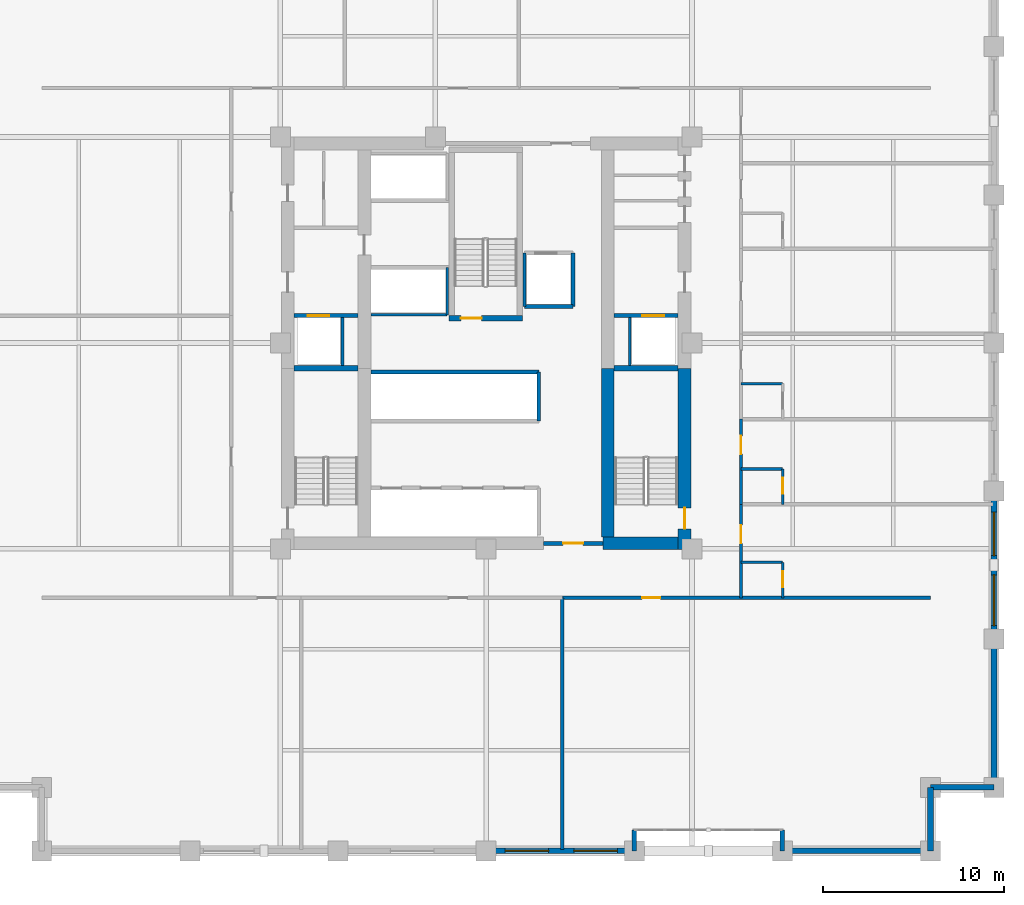
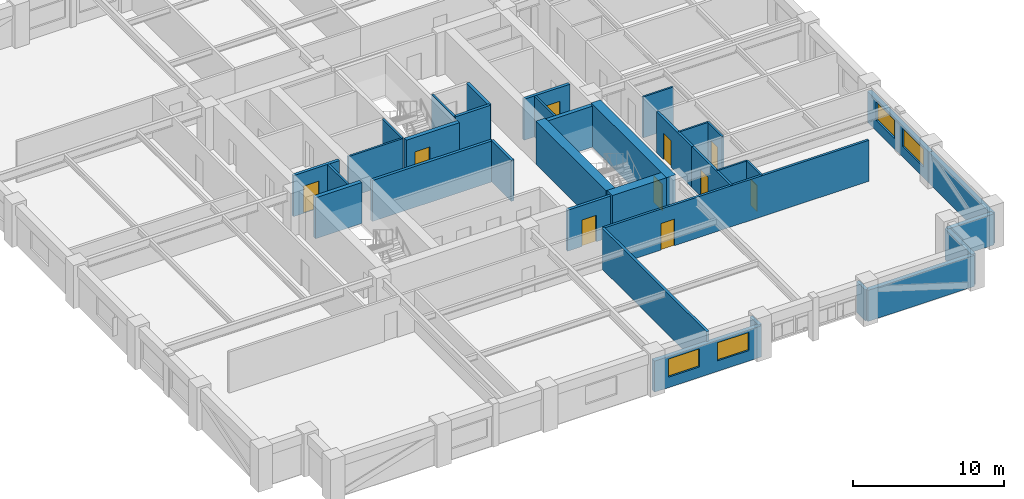
# One storey, part 6 of 11: 35 walls, 10 doors, 4 windows, 14 openings.
"""IFC4 building model written with IfcOpenShell, lengths in metres."""

import ifcopenshell
import ifcopenshell.guid

model = None  # the IFC model being written
_history = None  # IfcOwnerHistory: only IFC2X3 demands one
_inside = {}  # id of a spatial element -> (the spatial element, [elements in it])
_under = {}  # id of a project, library or spatial element -> (it, [spatial elements below it])
_declared = {}  # id of a project -> (the project, [libraries it declares])
_typed = {}  # id of a type object -> (the type object, [elements of that type])
_made_of = {}  # id of a material, layer set ... -> (it, [elements and type objects made of it])


def new_model(schema):
    """Start an empty IFC model of exactly this schema.

    Asked for "IFC4X3", IfcOpenShell would pick the latest addendum, in which some entities
    have other attributes; the version numbers below select the first issue.
    IFC2X3 requires an IfcOwnerHistory on every rooted entity: one is made here for all.
    """
    global model, _history
    if schema == "IFC4X3":
        model = ifcopenshell.file(schema_version=(4, 3, 0, 0))
    else:
        model = ifcopenshell.file(schema=schema)
    _inside.clear()
    _under.clear()
    _declared.clear()
    _typed.clear()
    _made_of.clear()
    _history = None
    if model.schema == "IFC2X3":
        org = make("IfcOrganization", Name="unknown")
        user = make(
            "IfcPersonAndOrganization",
            ThePerson=make("IfcPerson", FamilyName="unknown"),
            TheOrganization=org,
        )
        app = make(
            "IfcApplication",
            ApplicationDeveloper=org,
            Version="unknown",
            ApplicationFullName="unknown",
            ApplicationIdentifier="unknown",
        )
        _history = make(
            "IfcOwnerHistory",
            OwningUser=user,
            OwningApplication=app,
            ChangeAction="ADDED",
            CreationDate=0,
        )
    return model


def make(cls, **values):
    """One entity of the class cls with the attributes given. An attribute that is None is left unset."""
    return model.create_entity(
        cls, **{name: value for name, value in values.items() if value is not None}
    )


def rooted(cls, **values):
    """An entity with a GlobalId (a new one), such as an element, a storey or a relation."""
    return make(cls, GlobalId=ifcopenshell.guid.new(), OwnerHistory=_history, **values)


def si_unit(unit_type, name, prefix=None):
    """IfcSIUnit, for example si_unit("LENGTHUNIT", "METRE", prefix="MILLI")."""
    return make("IfcSIUnit", UnitType=unit_type, Prefix=prefix, Name=name)


def assignment(units):
    """IfcUnitAssignment: the units of a project."""
    return None if units is None else make("IfcUnitAssignment", Units=units)


def point(xyz):
    """IfcCartesianPoint."""
    return None if xyz is None else make("IfcCartesianPoint", Coordinates=xyz)


def direction(xyz):
    """IfcDirection."""
    return None if xyz is None else make("IfcDirection", DirectionRatios=xyz)


def frame(location, z_axis=None, x_axis=None):
    """IfcAxis2Placement3D, a coordinate frame: its origin and axes. An axis left out is left unset."""
    return make(
        "IfcAxis2Placement3D",
        Location=point(location),
        Axis=direction(z_axis),
        RefDirection=direction(x_axis),
    )


def frame_2d(location, x_axis=None):
    """IfcAxis2Placement2D, a coordinate frame in the plane: its origin and x axis."""
    return make(
        "IfcAxis2Placement2D", Location=point(location), RefDirection=direction(x_axis)
    )


def origin():
    """The frame at (0, 0, 0) with its axes left unset."""
    return frame((0.0, 0.0, 0.0))


def place(relative_to, where):
    """IfcLocalPlacement: puts the frame where relative to a parent placement (None: the world)."""
    return make(
        "IfcLocalPlacement", PlacementRelTo=relative_to, RelativePlacement=where
    )


def context(
    kind, dimensions, precision=None, world=None, true_north=None, identifier=None
):
    """IfcGeometricRepresentationContext, for example the 3D "Model" context."""
    return make(
        "IfcGeometricRepresentationContext",
        ContextIdentifier=identifier,
        ContextType=kind,
        CoordinateSpaceDimension=dimensions,
        Precision=precision,
        WorldCoordinateSystem=world,
        TrueNorth=true_north,
    )


def subcontext(parent, identifier, kind, view, scale=None):
    """IfcGeometricRepresentationSubContext, for example "Body" below "Model"."""
    return make(
        "IfcGeometricRepresentationSubContext",
        ContextIdentifier=identifier,
        ContextType=kind,
        ParentContext=parent,
        TargetScale=scale,
        TargetView=view,
    )


def project(units=None, contexts=None):
    """IfcProject with its units and contexts."""
    return rooted(
        "IfcProject",
        Name="project",
        RepresentationContexts=contexts,
        UnitsInContext=assignment(units),
    )


def spatial(cls, under=None, at=None, **own):
    """A site, building, storey or space (cls), placed at a placement, below another one or the project."""
    s = rooted(cls, ObjectPlacement=at, **own)
    if under is not None:
        _under.setdefault(under.id(), (under, []))[1].append(s)
    return s


def profile(cls, at=None, kind="AREA", **sizes):
    """A parametric profile (cls). Its sizes go by their IFC names, for example OverallWidth=200.0."""
    return make(cls, ProfileType=kind, Position=at, **sizes)


def rectangle(**sizes):
    """IfcRectangleProfileDef."""
    return profile("IfcRectangleProfileDef", **sizes)


def extrude(swept, where, along, depth):
    """IfcExtrudedAreaSolid: the profile swept, set in the frame where, extruded along a direction by depth."""
    return make(
        "IfcExtrudedAreaSolid",
        SweptArea=swept,
        Position=where,
        ExtrudedDirection=direction(along),
        Depth=depth,
    )


def shape(context_of_items, identifier, shape_type, items):
    """IfcShapeRepresentation: the items that make up one representation, for example the "Body"."""
    return make(
        "IfcShapeRepresentation",
        ContextOfItems=context_of_items,
        RepresentationIdentifier=identifier,
        RepresentationType=shape_type,
        Items=items,
    )


def material(Name=None, Category=None):
    """IfcMaterial."""
    return make("IfcMaterial", Name=Name, Category=Category)


def layer(
    of_material, thickness, ventilated=None, Name=None, Category=None, Priority=None
):
    """IfcMaterialLayer: one layer of a wall or slab, of a material (None: an air gap)."""
    return make(
        "IfcMaterialLayer",
        Material=of_material,
        LayerThickness=thickness,
        IsVentilated=ventilated,
        Name=Name,
        Category=Category,
        Priority=Priority,
    )


def layer_set(layers, Name=None):
    """IfcMaterialLayerSet."""
    return make("IfcMaterialLayerSet", MaterialLayers=layers, LayerSetName=Name)


def made_of(thing, what):
    """Note that an element or type object is made of a material, layer set ...; save() writes the relation."""
    if what is not None:
        _made_of.setdefault(what.id(), (what, []))[1].append(thing)
    return thing


def type_object(cls, material=None, **own):
    """A type object (cls), such as IfcWallType, which elements share."""
    return made_of(rooted(cls, **own), material)


def element(
    cls,
    number,
    at=None,
    inside=None,
    cuts=None,
    type_object=None,
    material=None,
    context=None,
    identifier="Body",
    shape_type=None,
    held_by="IfcProductDefinitionShape",
    body=None,
    shapes=None,
    **own,
):
    """One element of the class cls, such as IfcWall. Its Tag is "e" and its number.

    at: its placement. inside: the storey or other place that contains it. cuts: it is an
    opening in that element (IfcRelVoidsElement). A single representation is given by context,
    identifier, shape_type and body (its items); several are given by shapes. held_by: the class
    of the entity that holds the representations. save() writes the other relations.
    """
    e = rooted(cls, Tag="e%d" % number, ObjectPlacement=at, **own)
    if body is not None:
        shapes = [shape(context, identifier, shape_type, body)]
    if shapes is not None:
        e.Representation = make(held_by, Representations=shapes)
    if inside is not None:
        _inside.setdefault(inside.id(), (inside, []))[1].append(e)
    if cuts is not None:
        rooted(
            "IfcRelVoidsElement", RelatingBuildingElement=cuts, RelatedOpeningElement=e
        )
    if type_object is not None:
        _typed.setdefault(type_object.id(), (type_object, []))[1].append(e)
    return made_of(e, material)


def fill(opening, filler):
    """IfcRelFillsElement: the door or window that sits in an opening."""
    return rooted(
        "IfcRelFillsElement",
        RelatingOpeningElement=opening,
        RelatedBuildingElement=filler,
    )


def aggregate(whole, parts):
    """IfcRelAggregates: a whole, such as a stair, and the parts it consists of."""
    return rooted("IfcRelAggregates", RelatingObject=whole, RelatedObjects=parts)


def save(model, path):
    """Write the relations noted so far, then the file.

    IfcRelAggregates (storeys below a building ...), IfcRelContainedInSpatialStructure (elements
    in a storey), IfcRelDefinesByType, IfcRelAssociatesMaterial and IfcRelDeclares: one each for
    every whole, place, type object, material and project.
    """
    for whole, parts in _under.values():
        aggregate(whole, parts)
    for where, things in _inside.values():
        rooted(
            "IfcRelContainedInSpatialStructure",
            RelatedElements=things,
            RelatingStructure=where,
        )
    for kind, things in _typed.values():
        rooted("IfcRelDefinesByType", RelatedObjects=things, RelatingType=kind)
    for what, things in _made_of.values():
        rooted("IfcRelAssociatesMaterial", RelatedObjects=things, RelatingMaterial=what)
    for by, libraries in _declared.values():
        rooted("IfcRelDeclares", RelatingContext=by, RelatedDefinitions=libraries)
    model.write(path)


model = new_model("IFC4")

# Units and contexts
model_context = context("Model", 3, precision=1e-05, world=origin(), true_north=direction((0.0, 1.0)))
body_context = subcontext(model_context, "Body", "Model", "MODEL_VIEW")
ifc_project = project(units=[si_unit("LENGTHUNIT", "METRE"), si_unit("AREAUNIT", "SQUARE_METRE"), si_unit("VOLUMEUNIT", "CUBIC_METRE"), si_unit("PLANEANGLEUNIT", "RADIAN"), si_unit("MASSUNIT", "GRAM", prefix="KILO")], contexts=[model_context])

# Site, building, storey
site_placement = place(None, origin())
site = spatial("IfcSite", under=ifc_project, at=site_placement, CompositionType="ELEMENT")
building_placement = place(site_placement, origin())
building = spatial("IfcBuilding", under=site, at=building_placement, Name="Nhamokura Convention Tower", CompositionType="ELEMENT")
storey_placement = place(building_placement, frame((0.0, 0.0, 70.35009765625)))
storey = spatial("IfcBuildingStorey", under=building, at=storey_placement, Name="L16", CompositionType="ELEMENT", Elevation=70.35009765625)

# Wall
ifc_material_1 = material(Name="Moisture-resistant tile-backer partition", Category="masonry")
ifc_layer_1 = layer(ifc_material_1, 0.139892578125)
ifc_layer_set_1 = layer_set([ifc_layer_1], Name="BathroomWetWall_140")
wall_type_1 = type_object("IfcWallType", Name="BathroomWetWall_140", PredefinedType="STANDARD", material=ifc_layer_set_1)
wall_1_placement = place(storey_placement, frame((46.050048828125, 19.89990234375, 0.0), z_axis=(0.0, 0.0, 1.0), x_axis=(1.0, 0.0, 0.0)))
element("IfcWall", 1, at=wall_1_placement, inside=storey, type_object=wall_type_1, Name="L16 Wall INT-L16-BW-E00N", PredefinedType="STANDARD", context=body_context, shape_type="SweptSolid", body=[
    extrude(rectangle(XDim=2.300048828125, YDim=0.139892578125, at=frame_2d((1.14990234375, 0.0))), origin(), (0.0, 0.0, 1.0), 3.31982421875),
])

# Wall, opening, door
wall_2_placement = place(storey_placement, frame((48.35009765625, 17.949951171875, 0.0), z_axis=(0.0, 0.0, 1.0), x_axis=(0.0, 1.0, 0.0)))
wall_2 = element("IfcWall", 2, at=wall_2_placement, inside=storey, type_object=wall_type_1, Name="L16 Wall INT-L16-BW-E00E", PredefinedType="STANDARD", context=body_context, shape_type="SweptSolid", body=[
    extrude(rectangle(XDim=1.949951171875, YDim=0.139892578125, at=frame_2d((0.97509765625, 0.0))), origin(), (0.0, 0.0, 1.0), 3.31982421875),
])
opening_1_placement = place(wall_2_placement, frame((0.580078125, 0.0, 0.0)))
opening_1 = element("IfcOpeningElement", 3, at=opening_1_placement, cuts=wall_2, Name="Opening D-11", PredefinedType="OPENING", context=body_context, shape_type="SweptSolid", body=[
    extrude(rectangle(XDim=0.8798828125, YDim=2.10009765625, at=frame_2d((0.43994140625, 1.050048828125))), frame((0.0, 0.079833984375, 0.0), z_axis=(0.0, -1.0, 0.0), x_axis=(1.0, 0.0, 0.0)), (0.0, 0.0, 1.0), 0.159912109375),
])
ifc_material_2 = material(Name="Solid oak hardwood", Category="wood")
door_type_1 = type_object("IfcDoorType", Name="BathroomDoor_880", OperationType="NOTDEFINED", PredefinedType="DOOR", material=ifc_material_2)
door_1_placement = place(opening_1_placement, origin())
door_1 = element("IfcDoor", 4, at=door_1_placement, inside=storey, type_object=door_type_1, Name="L16 Guest Room En-suite Door", OperationType="SINGLE_SWING_LEFT", OverallHeight=2.10009765625, OverallWidth=0.8798828125, PredefinedType="DOOR", context=body_context, shape_type="SweptSolid", body=[
    extrude(rectangle(XDim=0.8798828125, YDim=2.10009765625, at=frame_2d((0.43994140625, 1.050048828125))), frame((0.0, 0.02490234375, 0.0), z_axis=(0.0, -1.0, 0.0), x_axis=(1.0, 0.0, 0.0)), (0.0, 0.0, 1.0), 0.050048828125),
])
fill(opening_1, door_1)

# Wall
wall_3_placement = place(storey_placement, frame((46.050048828125, 25.050048828125, 0.0), z_axis=(0.0, 0.0, 1.0), x_axis=(1.0, 0.0, 0.0)))
element("IfcWall", 5, at=wall_3_placement, inside=storey, type_object=wall_type_1, Name="L16 Wall INT-L16-BW-E01N", PredefinedType="STANDARD", context=body_context, shape_type="SweptSolid", body=[
    extrude(rectangle(XDim=2.300048828125, YDim=0.139892578125, at=frame_2d((1.14990234375, 0.0))), origin(), (0.0, 0.0, 1.0), 3.31982421875),
])

# Wall, opening, door
wall_4_placement = place(storey_placement, frame((48.35009765625, 23.10009765625, 0.0), z_axis=(0.0, 0.0, 1.0), x_axis=(0.0, 1.0, 0.0)))
wall_4 = element("IfcWall", 6, at=wall_4_placement, inside=storey, type_object=wall_type_1, Name="L16 Wall INT-L16-BW-E01E", PredefinedType="STANDARD", context=body_context, shape_type="SweptSolid", body=[
    extrude(rectangle(XDim=1.949951171875, YDim=0.139892578125, at=frame_2d((0.97509765625, 0.0))), origin(), (0.0, 0.0, 1.0), 3.31982421875),
])
opening_2_placement = place(wall_4_placement, frame((0.580078125, 0.0, 0.0)))
opening_2 = element("IfcOpeningElement", 7, at=opening_2_placement, cuts=wall_4, Name="Opening D-11", PredefinedType="OPENING", context=body_context, shape_type="SweptSolid", body=[
    extrude(rectangle(XDim=0.8798828125, YDim=2.10009765625, at=frame_2d((0.43994140625, 1.050048828125))), frame((0.0, 0.079833984375, 0.0), z_axis=(0.0, -1.0, 0.0), x_axis=(1.0, 0.0, 0.0)), (0.0, 0.0, 1.0), 0.159912109375),
])
door_2_placement = place(opening_2_placement, origin())
door_2 = element("IfcDoor", 8, at=door_2_placement, inside=storey, type_object=door_type_1, Name="L16 Guest Room En-suite Door", OperationType="SINGLE_SWING_LEFT", OverallHeight=2.10009765625, OverallWidth=0.8798828125, PredefinedType="DOOR", context=body_context, shape_type="SweptSolid", body=[
    extrude(rectangle(XDim=0.8798828125, YDim=2.10009765625, at=frame_2d((0.43994140625, 1.050048828125))), frame((0.0, 0.02490234375, 0.0), z_axis=(0.0, -1.0, 0.0), x_axis=(1.0, 0.0, 0.0)), (0.0, 0.0, 1.0), 0.050048828125),
])
fill(opening_2, door_2)

# Walls
wall_5_placement = place(storey_placement, frame((46.050048828125, 29.75, 0.0), z_axis=(0.0, 0.0, 1.0), x_axis=(1.0, 0.0, 0.0)))
element("IfcWall", 9, at=wall_5_placement, inside=storey, type_object=wall_type_1, Name="L16 Wall INT-L16-BW-E02N", PredefinedType="STANDARD", context=body_context, shape_type="SweptSolid", body=[
    extrude(rectangle(XDim=2.300048828125, YDim=0.139892578125, at=frame_2d((1.14990234375, 0.0))), origin(), (0.0, 0.0, 1.0), 3.31982421875),
])
ifc_material_3 = material(Name="Bronze-pigmented precast concrete C45/55", Category="concrete")
ifc_layer_2 = layer(ifc_material_3, 0.320068359375)
ifc_layer_set_2 = layer_set([ifc_layer_2], Name="BronzePrecastSpandrel_320")
wall_type_2 = type_object("IfcWallType", Name="BronzePrecastSpandrel_320", PredefinedType="USERDEFINED", material=ifc_layer_set_2)
for number, where, z_axis, x_axis, name in (
    (10, (40.166748046875, 4.0, 0.0), (0.0, 0.0, 1.0), (0.0, 1.0, 0.0), "L16 Scale Slot Cheek Wall SOUTHA"),
    (11, (48.333251953125, 4.0, 0.0), (0.0, 0.0, 1.0), (0.0, 1.0, 0.0), "L16 Scale Slot Cheek Wall SOUTHB"),
):
    element("IfcWall", number, at=place(storey_placement, frame(where, z_axis=z_axis, x_axis=x_axis)), inside=storey, type_object=wall_type_2, Name=name, ObjectType="SPANDREL_WALL", PredefinedType="USERDEFINED", context=body_context, shape_type="SweptSolid", body=[
        extrude(rectangle(XDim=1.14990234375, YDim=0.239990234375, at=frame_2d((0.574951171875, 0.0))), origin(), (0.0, 0.0, 1.0), 2.52001953125),
    ])

# Wall, openings, windows
wall_6_placement = place(storey_placement, frame((40.166748046875, 4.0, 0.0), z_axis=(0.0, 0.0, 1.0), x_axis=(-1.0, 0.0, 0.0)))
wall_6 = element("IfcWall", 12, at=wall_6_placement, inside=storey, type_object=wall_type_2, Name="L16 Masonry-Frame Wall SOUTH 3", ObjectType="SPANDREL_WALL", PredefinedType="USERDEFINED", context=body_context, shape_type="SweptSolid", body=[
    extrude(rectangle(XDim=8.166748046875, YDim=0.320068359375, at=frame_2d((4.08349609375, 0.0))), origin(), (0.0, 0.0, 1.0), 2.52001953125),
])
opening_3_placement = place(wall_6_placement, frame((0.933349609375, 0.0, 0.85009765625)))
opening_3 = element("IfcOpeningElement", 13, at=opening_3_placement, cuts=wall_6, Name="Opening W-03", PredefinedType="OPENING", context=body_context, shape_type="SweptSolid", body=[
    extrude(rectangle(XDim=2.39990234375, YDim=1.469970703125, at=frame_2d((1.199951171875, 0.73486328125))), frame((0.0, 0.169921875, 0.0), z_axis=(0.0, -1.0, 0.0), x_axis=(1.0, 0.0, 0.0)), (0.0, 0.0, 1.0), 0.340087890625),
])
opening_4_placement = place(wall_6_placement, frame((4.716796875, 0.0, 0.85009765625)))
opening_4 = element("IfcOpeningElement", 14, at=opening_4_placement, cuts=wall_6, Name="Opening W-03", PredefinedType="OPENING", context=body_context, shape_type="SweptSolid", body=[
    extrude(rectangle(XDim=2.39990234375, YDim=1.469970703125, at=frame_2d((1.199951171875, 0.73486328125))), frame((0.0, 0.169921875, 0.0), z_axis=(0.0, -1.0, 0.0), x_axis=(1.0, 0.0, 0.0)), (0.0, 0.0, 1.0), 0.340087890625),
])
ifc_material_4 = material(Name="Solar-control bronze low-E double glass", Category="glass")
window_type_1 = type_object("IfcWindowType", Name="HotelBayWindow_2400", PartitioningType="DOUBLE_PANEL_VERTICAL", PredefinedType="WINDOW", material=ifc_material_4)
window_1_placement = place(opening_3_placement, origin())
window_1 = element("IfcWindow", 15, at=window_1_placement, inside=storey, type_object=window_type_1, Name="L16 Facade Window SOUTH 3-1", OverallHeight=1.469970703125, OverallWidth=2.39990234375, PartitioningType="SINGLE_PANEL", PredefinedType="WINDOW", context=body_context, shape_type="SweptSolid", body=[
    extrude(rectangle(XDim=2.39990234375, YDim=1.469970703125, at=frame_2d((1.199951171875, 0.73486328125))), frame((0.0, 0.030029296875, 0.0), z_axis=(0.0, -1.0, 0.0), x_axis=(1.0, 0.0, 0.0)), (0.0, 0.0, 1.0), 0.06005859375),
])
fill(opening_3, window_1)
window_2_placement = place(opening_4_placement, origin())
window_2 = element("IfcWindow", 16, at=window_2_placement, inside=storey, type_object=window_type_1, Name="L16 Facade Window SOUTH 3-2", OverallHeight=1.469970703125, OverallWidth=2.39990234375, PartitioningType="SINGLE_PANEL", PredefinedType="WINDOW", context=body_context, shape_type="SweptSolid", body=[
    extrude(rectangle(XDim=2.39990234375, YDim=1.469970703125, at=frame_2d((1.199951171875, 0.73486328125))), frame((0.0, 0.030029296875, 0.0), z_axis=(0.0, -1.0, 0.0), x_axis=(1.0, 0.0, 0.0)), (0.0, 0.0, 1.0), 0.06005859375),
])
fill(opening_4, window_2)

# Walls
for number, where, z_axis, x_axis, name in (
    (17, (56.5, 4.0, 0.0), (0.0, 0.0, 1.0), (-1.0, 0.0, 0.0), "L16 Braced-Bay Precast Wall SOUTH 5"),
    (18, (60.0, 15.666748046875, 0.0), (0.0, 0.0, 1.0), (0.0, -1.0, 0.0), "L16 Braced-Bay Precast Wall EAST 0"),
):
    element("IfcWall", number, at=place(storey_placement, frame(where, z_axis=z_axis, x_axis=x_axis)), inside=storey, type_object=wall_type_2, Name=name, ObjectType="SPANDREL_WALL", PredefinedType="USERDEFINED", context=body_context, shape_type="SweptSolid", body=[
        extrude(rectangle(XDim=8.166748046875, YDim=0.320068359375, at=frame_2d((4.08349609375, 0.0))), origin(), (0.0, 0.0, 1.0), 2.52001953125),
    ])

# Wall, openings, windows
wall_7_placement = place(storey_placement, frame((60.0, 23.833251953125, 0.0), z_axis=(0.0, 0.0, 1.0), x_axis=(0.0, -1.0, 0.0)))
wall_7 = element("IfcWall", 19, at=wall_7_placement, inside=storey, type_object=wall_type_2, Name="L16 Masonry-Frame Wall EAST 1", ObjectType="SPANDREL_WALL", PredefinedType="USERDEFINED", context=body_context, shape_type="SweptSolid", body=[
    extrude(rectangle(XDim=8.16650390625, YDim=0.320068359375, at=frame_2d((4.083251953125, 0.0))), origin(), (0.0, 0.0, 1.0), 2.52001953125),
])
opening_5_placement = place(wall_7_placement, frame((1.158203125, 0.0, 0.85009765625)))
opening_5 = element("IfcOpeningElement", 20, at=opening_5_placement, cuts=wall_7, Name="Opening W-03", PredefinedType="OPENING", context=body_context, shape_type="SweptSolid", body=[
    extrude(rectangle(XDim=2.39990234375, YDim=1.469970703125, at=frame_2d((1.199951171875, 0.73486328125))), frame((0.0, 0.169921875, 0.0), z_axis=(0.0, -1.0, 0.0), x_axis=(1.0, 0.0, 0.0)), (0.0, 0.0, 1.0), 0.340087890625),
])
opening_6_placement = place(wall_7_placement, frame((4.625, 0.0, 0.85009765625)))
opening_6 = element("IfcOpeningElement", 21, at=opening_6_placement, cuts=wall_7, Name="Opening W-04", PredefinedType="OPENING", context=body_context, shape_type="SweptSolid", body=[
    extrude(rectangle(XDim=2.800048828125, YDim=1.469970703125, at=frame_2d((1.39990234375, 0.73486328125))), frame((0.0, 0.169921875, 0.0), z_axis=(0.0, -1.0, 0.0), x_axis=(1.0, 0.0, 0.0)), (0.0, 0.0, 1.0), 0.340087890625),
])
window_3_placement = place(opening_5_placement, origin())
window_3 = element("IfcWindow", 22, at=window_3_placement, inside=storey, type_object=window_type_1, Name="L16 Facade Window EAST 1-1", OverallHeight=1.469970703125, OverallWidth=2.39990234375, PartitioningType="SINGLE_PANEL", PredefinedType="WINDOW", context=body_context, shape_type="SweptSolid", body=[
    extrude(rectangle(XDim=2.39990234375, YDim=1.469970703125, at=frame_2d((1.199951171875, 0.73486328125))), frame((0.0, 0.030029296875, 0.0), z_axis=(0.0, -1.0, 0.0), x_axis=(1.0, 0.0, 0.0)), (0.0, 0.0, 1.0), 0.06005859375),
])
fill(opening_5, window_3)
ifc_material_5 = material(Name="Solar-control bronze low-E double glass", Category="glass")
window_type_2 = type_object("IfcWindowType", Name="HotelSuiteWindow_2800", PartitioningType="DOUBLE_PANEL_VERTICAL", PredefinedType="WINDOW", material=ifc_material_5)
window_4_placement = place(opening_6_placement, origin())
window_4 = element("IfcWindow", 23, at=window_4_placement, inside=storey, type_object=window_type_2, Name="L16 Facade Window EAST 1-2", OverallHeight=1.469970703125, OverallWidth=2.800048828125, PartitioningType="SINGLE_PANEL", PredefinedType="WINDOW", context=body_context, shape_type="SweptSolid", body=[
    extrude(rectangle(XDim=2.800048828125, YDim=1.469970703125, at=frame_2d((1.39990234375, 0.73486328125))), frame((0.0, 0.030029296875, 0.0), z_axis=(0.0, -1.0, 0.0), x_axis=(1.0, 0.0, 0.0)), (0.0, 0.0, 1.0), 0.06005859375),
])
fill(opening_6, window_4)

# Walls
for number, where, z_axis, x_axis, name in (
    (24, (56.5, 7.5, 0.0), (0.0, 0.0, 1.0), (0.0, -1.0, 0.0), "L16 Notched Corner Wall SE1"),
    (25, (60.0, 7.5, 0.0), (0.0, 0.0, 1.0), (-1.0, 0.0, 0.0), "L16 Notched Corner Wall SE2"),
):
    element("IfcWall", number, at=place(storey_placement, frame(where, z_axis=z_axis, x_axis=x_axis)), inside=storey, type_object=wall_type_2, Name=name, ObjectType="SPANDREL_WALL", PredefinedType="USERDEFINED", context=body_context, shape_type="SweptSolid", body=[
        extrude(rectangle(XDim=3.5, YDim=0.320068359375, at=frame_2d((1.75, 0.0))), origin(), (0.0, 0.0, 1.0), 2.52001953125),
    ])

# Wall, opening, door
ifc_material_6 = material(Name="Concrete C70/85", Category="concrete")
ifc_layer_3 = layer(ifc_material_6, 0.699951171875)
ifc_layer_set_3 = layer_set([ifc_layer_3], Name="CoreShearWall_700")
wall_type_3 = type_object("IfcWallType", Name="CoreShearWall_700", PredefinedType="SHEAR", material=ifc_layer_set_3)
wall_8_placement = place(storey_placement, frame((42.93994140625, 20.60009765625, 0.0), z_axis=(0.0, 0.0, 1.0), x_axis=(0.0, 1.0, 0.0)))
wall_8 = element("IfcWall", 26, at=wall_8_placement, inside=storey, type_object=wall_type_3, Name="L16 Core Shear Wall CW-ES", PredefinedType="SHEAR", context=body_context, shape_type="SweptSolid", body=[
    extrude(rectangle(XDim=10.0, YDim=0.699951171875, at=frame_2d((5.0, 0.0))), origin(), (0.0, 0.0, 1.0), 3.5),
])
opening_7_placement = place(wall_8_placement, frame((1.14990234375, 0.0, 0.0)))
opening_7 = element("IfcOpeningElement", 27, at=opening_7_placement, cuts=wall_8, Name="Opening D-04", PredefinedType="OPENING", context=body_context, shape_type="SweptSolid", body=[
    extrude(rectangle(XDim=1.14990234375, YDim=2.14990234375, at=frame_2d((0.574951171875, 1.074951171875))), frame((0.0, 0.35986328125, 0.0), z_axis=(0.0, -1.0, 0.0), x_axis=(1.0, 0.0, 0.0)), (0.0, 0.0, 1.0), 0.719970703125),
])
ifc_material_7 = material(Name="Fire-rated steel door", Category="steel")
door_type_2 = type_object("IfcDoorType", Name="StairSmokeDoor_1150", OperationType="NOTDEFINED", PredefinedType="DOOR", material=ifc_material_7)
door_3_placement = place(opening_7_placement, origin())
door_3 = element("IfcDoor", 28, at=door_3_placement, inside=storey, type_object=door_type_2, Name="L16 Core Door INT-L16-D-ST02", OperationType="SINGLE_SWING_RIGHT", OverallHeight=2.14990234375, OverallWidth=1.14990234375, PredefinedType="DOOR", context=body_context, shape_type="SweptSolid", body=[
    extrude(rectangle(XDim=1.14990234375, YDim=2.14990234375, at=frame_2d((0.574951171875, 1.074951171875))), frame((0.0, 0.02490234375, 0.0), z_axis=(0.0, -1.0, 0.0), x_axis=(1.0, 0.0, 0.0)), (0.0, 0.0, 1.0), 0.050048828125),
])
fill(opening_7, door_3)

# Walls
wall_9_placement = place(storey_placement, frame((38.449951171875, 20.949951171875, 0.0), z_axis=(0.0, 0.0, 1.0), x_axis=(1.0, 0.0, 0.0)))
element("IfcWall", 29, at=wall_9_placement, inside=storey, type_object=wall_type_3, Name="L16 Core Shear Wall CW-S2", PredefinedType="SHEAR", context=body_context, shape_type="SweptSolid", body=[
    extrude(rectangle(XDim=4.14013671875, YDim=0.699951171875, at=frame_2d((2.070068359375, 0.0))), origin(), (0.0, 0.0, 1.0), 3.5),
])
wall_10_placement = place(storey_placement, frame((38.7099609375, 21.300048828125, 0.0), z_axis=(0.0, 0.0, 1.0), x_axis=(0.0, 1.0, 0.0)))
element("IfcWall", 30, at=wall_10_placement, inside=storey, type_object=wall_type_3, Name="L16 Core Shear Wall CW-IES", PredefinedType="SHEAR", context=body_context, shape_type="SweptSolid", body=[
    extrude(rectangle(XDim=9.300048828125, YDim=0.699951171875, at=frame_2d((4.64990234375, 0.0))), origin(), (0.0, 0.0, 1.0), 3.5),
])

# Wall, opening, door
ifc_material_8 = material(Name="Fire-rated gypsum and masonry partition", Category="masonry")
ifc_layer_4 = layer(ifc_material_8, 0.179931640625)
ifc_layer_set_4 = layer_set([ifc_layer_4], Name="CorridorRatedWall_180")
wall_type_4 = type_object("IfcWallType", Name="CorridorRatedWall_180", PredefinedType="STANDARD", material=ifc_layer_set_4)
wall_11_placement = place(storey_placement, frame((36.199951171875, 17.949951171875, 0.0), z_axis=(0.0, 0.0, 1.0), x_axis=(1.0, 0.0, 0.0)))
wall_11 = element("IfcWall", 31, at=wall_11_placement, inside=storey, type_object=wall_type_4, Name="L16 Wall INT-L16-CW-S02", PredefinedType="STANDARD", context=body_context, shape_type="SweptSolid", body=[
    extrude(rectangle(XDim=20.300048828125, YDim=0.179931640625, at=frame_2d((10.14990234375, 0.0))), origin(), (0.0, 0.0, 1.0), 3.31982421875),
])
opening_8_placement = place(wall_11_placement, frame((4.39990234375, 0.0, 0.0)))
opening_8 = element("IfcOpeningElement", 32, at=opening_8_placement, cuts=wall_11, Name="Opening D-07", PredefinedType="OPENING", context=body_context, shape_type="SweptSolid", body=[
    extrude(rectangle(XDim=1.0, YDim=2.14990234375, at=frame_2d((0.5, 1.074951171875))), frame((0.0, 0.099853515625, 0.0), z_axis=(0.0, -1.0, 0.0), x_axis=(1.0, 0.0, 0.0)), (0.0, 0.0, 1.0), 0.199951171875),
])
ifc_material_9 = material(Name="Solid oak hardwood", Category="wood")
door_type_3 = type_object("IfcDoorType", Name="HotelSuiteEntryDoor_1000", OperationType="NOTDEFINED", PredefinedType="DOOR", material=ifc_material_9)
door_4_placement = place(opening_8_placement, origin())
door_4 = element("IfcDoor", 33, at=door_4_placement, inside=storey, type_object=door_type_3, Name="L16 Conference Salon S03 Door", OperationType="SINGLE_SWING_LEFT", OverallHeight=2.14990234375, OverallWidth=1.0, PredefinedType="DOOR", context=body_context, shape_type="SweptSolid", body=[
    extrude(rectangle(XDim=1.0, YDim=2.14990234375, at=frame_2d((0.5, 1.074951171875))), frame((0.0, 0.02490234375, 0.0), z_axis=(0.0, -1.0, 0.0), x_axis=(1.0, 0.0, 0.0)), (0.0, 0.0, 1.0), 0.050048828125),
])
fill(opening_8, door_4)

wall_12_placement = place(storey_placement, frame((46.050048828125, 17.949951171875, 0.0), z_axis=(0.0, 0.0, 1.0), x_axis=(0.0, 1.0, 0.0)))
wall_12 = element("IfcWall", 34, at=wall_12_placement, inside=storey, type_object=wall_type_4, Name="L16 Wall INT-L16-CW-E00", PredefinedType="STANDARD", context=body_context, shape_type="SweptSolid", body=[
    extrude(rectangle(XDim=5.150146484375, YDim=0.179931640625, at=frame_2d((2.5751953125, 0.0))), origin(), (0.0, 0.0, 1.0), 3.31982421875),
])
opening_9_placement = place(wall_12_placement, frame((3.0, 0.0, 0.0)))
opening_9 = element("IfcOpeningElement", 35, at=opening_9_placement, cuts=wall_12, Name="Opening D-07", PredefinedType="OPENING", context=body_context, shape_type="SweptSolid", body=[
    extrude(rectangle(XDim=1.0, YDim=2.14990234375, at=frame_2d((0.5, 1.074951171875))), frame((0.0, 0.099853515625, 0.0), z_axis=(0.0, -1.0, 0.0), x_axis=(1.0, 0.0, 0.0)), (0.0, 0.0, 1.0), 0.199951171875),
])
door_5_placement = place(opening_9_placement, origin())
door_5 = element("IfcDoor", 36, at=door_5_placement, inside=storey, type_object=door_type_3, Name="L16 Guest Room E01 Door", OperationType="SINGLE_SWING_LEFT", OverallHeight=2.14990234375, OverallWidth=1.0, PredefinedType="DOOR", context=body_context, shape_type="SweptSolid", body=[
    extrude(rectangle(XDim=1.0, YDim=2.14990234375, at=frame_2d((0.5, 1.074951171875))), frame((0.0, 0.02490234375, 0.0), z_axis=(0.0, -1.0, 0.0), x_axis=(1.0, 0.0, 0.0)), (0.0, 0.0, 1.0), 0.050048828125),
])
fill(opening_9, door_5)

wall_13_placement = place(storey_placement, frame((46.050048828125, 23.10009765625, 0.0), z_axis=(0.0, 0.0, 1.0), x_axis=(0.0, 1.0, 0.0)))
wall_13 = element("IfcWall", 37, at=wall_13_placement, inside=storey, type_object=wall_type_4, Name="L16 Wall INT-L16-CW-E01", PredefinedType="STANDARD", context=body_context, shape_type="SweptSolid", body=[
    extrude(rectangle(XDim=4.699951171875, YDim=0.179931640625, at=frame_2d((2.35009765625, 0.0))), origin(), (0.0, 0.0, 1.0), 3.31982421875),
])
opening_10_placement = place(wall_13_placement, frame((2.77490234375, 0.0, 0.0)))
opening_10 = element("IfcOpeningElement", 38, at=opening_10_placement, cuts=wall_13, Name="Opening D-07", PredefinedType="OPENING", context=body_context, shape_type="SweptSolid", body=[
    extrude(rectangle(XDim=1.0, YDim=2.14990234375, at=frame_2d((0.5, 1.074951171875))), frame((0.0, 0.099853515625, 0.0), z_axis=(0.0, -1.0, 0.0), x_axis=(1.0, 0.0, 0.0)), (0.0, 0.0, 1.0), 0.199951171875),
])
door_6_placement = place(opening_10_placement, origin())
door_6 = element("IfcDoor", 39, at=door_6_placement, inside=storey, type_object=door_type_3, Name="L16 Guest Room E02 Door", OperationType="SINGLE_SWING_RIGHT", OverallHeight=2.14990234375, OverallWidth=1.0, PredefinedType="DOOR", context=body_context, shape_type="SweptSolid", body=[
    extrude(rectangle(XDim=1.0, YDim=2.14990234375, at=frame_2d((0.5, 1.074951171875))), frame((0.0, 0.02490234375, 0.0), z_axis=(0.0, -1.0, 0.0), x_axis=(1.0, 0.0, 0.0)), (0.0, 0.0, 1.0), 0.050048828125),
])
fill(opening_10, door_6)

ifc_material_10 = material(Name="Autoclaved concrete blockwork", Category="masonry")
ifc_layer_5 = layer(ifc_material_10, 0.219970703125)
ifc_layer_set_5 = layer_set([ifc_layer_5], Name="FireLobbyWall_220")
wall_type_5 = type_object("IfcWallType", Name="FireLobbyWall_220", PredefinedType="STANDARD", material=ifc_layer_set_5)
wall_14_placement = place(storey_placement, frame((21.409912109375, 33.5, 0.0), z_axis=(0.0, 0.0, 1.0), x_axis=(1.0, 0.0, 0.0)))
wall_14 = element("IfcWall", 40, at=wall_14_placement, inside=storey, type_object=wall_type_5, Name="L16 Wall INT-L16-FFW-S", PredefinedType="STANDARD", context=body_context, shape_type="SweptSolid", body=[
    extrude(rectangle(XDim=3.530029296875, YDim=0.219970703125, at=frame_2d((1.76513671875, 0.0))), origin(), (0.0, 0.0, 1.0), 3.31982421875),
])
opening_11_placement = place(wall_14_placement, frame((0.75, 0.0, 0.0)))
opening_11 = element("IfcOpeningElement", 41, at=opening_11_placement, cuts=wall_14, Name="Opening LD-02", PredefinedType="OPENING", context=body_context, shape_type="SweptSolid", body=[
    extrude(rectangle(XDim=1.199951171875, YDim=2.199951171875, at=frame_2d((0.60009765625, 1.10009765625))), frame((0.0, 0.119873046875, 0.0), z_axis=(0.0, -1.0, 0.0), x_axis=(1.0, 0.0, 0.0)), (0.0, 0.0, 1.0), 0.239990234375),
])
ifc_material_11 = material(Name="Anodised bronze stainless steel", Category="steel")
door_type_4 = type_object("IfcDoorType", Name="LiftLandingDoor_FireService", OperationType="DOUBLE_DOOR_SLIDING", PredefinedType="DOOR", material=ifc_material_11)
door_7_placement = place(opening_11_placement, origin())
door_7 = element("IfcDoor", 42, at=door_7_placement, inside=storey, type_object=door_type_4, Name="L16 Firefighting Lift LF-01 Door", OperationType="DOUBLE_DOOR_SLIDING", OverallHeight=2.199951171875, OverallWidth=1.199951171875, PredefinedType="DOOR", context=body_context, shape_type="SweptSolid", body=[
    extrude(rectangle(XDim=1.199951171875, YDim=2.199951171875, at=frame_2d((0.60009765625, 1.10009765625))), frame((0.0, 0.02490234375, 0.0), z_axis=(0.0, -1.0, 0.0), x_axis=(1.0, 0.0, 0.0)), (0.0, 0.0, 1.0), 0.050048828125),
])
fill(opening_11, door_7)

wall_15_placement = place(storey_placement, frame((39.06005859375, 33.5, 0.0), z_axis=(0.0, 0.0, 1.0), x_axis=(1.0, 0.0, 0.0)))
wall_15 = element("IfcWall", 43, at=wall_15_placement, inside=storey, type_object=wall_type_5, Name="L16 Wall INT-L16-FFE-S", PredefinedType="STANDARD", context=body_context, shape_type="SweptSolid", body=[
    extrude(rectangle(XDim=3.530029296875, YDim=0.219970703125, at=frame_2d((1.76513671875, 0.0))), origin(), (0.0, 0.0, 1.0), 3.31982421875),
])
opening_12_placement = place(wall_15_placement, frame((1.550048828125, 0.0, 0.0)))
opening_12 = element("IfcOpeningElement", 44, at=opening_12_placement, cuts=wall_15, Name="Opening LD-02", PredefinedType="OPENING", context=body_context, shape_type="SweptSolid", body=[
    extrude(rectangle(XDim=1.199951171875, YDim=2.199951171875, at=frame_2d((0.60009765625, 1.10009765625))), frame((0.0, 0.119873046875, 0.0), z_axis=(0.0, -1.0, 0.0), x_axis=(1.0, 0.0, 0.0)), (0.0, 0.0, 1.0), 0.239990234375),
])
door_8_placement = place(opening_12_placement, origin())
door_8 = element("IfcDoor", 45, at=door_8_placement, inside=storey, type_object=door_type_4, Name="L16 Firefighting Lift LF-02 Door", OperationType="DOUBLE_DOOR_SLIDING", OverallHeight=2.199951171875, OverallWidth=1.199951171875, PredefinedType="DOOR", context=body_context, shape_type="SweptSolid", body=[
    extrude(rectangle(XDim=1.199951171875, YDim=2.199951171875, at=frame_2d((0.60009765625, 1.10009765625))), frame((0.0, 0.02490234375, 0.0), z_axis=(0.0, -1.0, 0.0), x_axis=(1.0, 0.0, 0.0)), (0.0, 0.0, 1.0), 0.050048828125),
])
fill(opening_12, door_8)

wall_16_placement = place(storey_placement, frame((35.14990234375, 20.949951171875, 0.0), z_axis=(0.0, 0.0, 1.0), x_axis=(1.0, 0.0, 0.0)))
wall_16 = element("IfcWall", 46, at=wall_16_placement, inside=storey, type_object=wall_type_5, Name="L16 Wall INT-L16-SPORT-S", PredefinedType="STANDARD", context=body_context, shape_type="SweptSolid", body=[
    extrude(rectangle(XDim=3.300048828125, YDim=0.219970703125, at=frame_2d((1.64990234375, 0.0))), origin(), (0.0, 0.0, 1.0), 3.31982421875),
])
opening_13_placement = place(wall_16_placement, frame((1.10009765625, 0.0, 0.0)))
opening_13 = element("IfcOpeningElement", 47, at=opening_13_placement, cuts=wall_16, Name="Opening D-05", PredefinedType="OPENING", context=body_context, shape_type="SweptSolid", body=[
    extrude(rectangle(XDim=1.10009765625, YDim=2.14990234375, at=frame_2d((0.550048828125, 1.074951171875))), frame((0.0, 0.119873046875, 0.0), z_axis=(0.0, -1.0, 0.0), x_axis=(1.0, 0.0, 0.0)), (0.0, 0.0, 1.0), 0.239990234375),
])
ifc_material_12 = material(Name="Fire-rated steel door", Category="steel")
door_type_5 = type_object("IfcDoorType", Name="FireLobbyDoor_1100", OperationType="NOTDEFINED", PredefinedType="DOOR", material=ifc_material_12)
door_9_placement = place(opening_13_placement, origin())
door_9 = element("IfcDoor", 48, at=door_9_placement, inside=storey, type_object=door_type_5, Name="L16 South Core Lobby Portal Door", OperationType="SINGLE_SWING_LEFT", OverallHeight=2.14990234375, OverallWidth=1.10009765625, PredefinedType="DOOR", context=body_context, shape_type="SweptSolid", body=[
    extrude(rectangle(XDim=1.10009765625, YDim=2.14990234375, at=frame_2d((0.550048828125, 1.074951171875))), frame((0.0, 0.02490234375, 0.0), z_axis=(0.0, -1.0, 0.0), x_axis=(1.0, 0.0, 0.0)), (0.0, 0.0, 1.0), 0.050048828125),
])
fill(opening_13, door_9)

# Walls
wall_17_placement = place(storey_placement, frame((25.64990234375, 30.39990234375, 0.0), z_axis=(0.0, 0.0, 1.0), x_axis=(1.0, 0.0, 0.0)))
element("IfcWall", 49, at=wall_17_placement, inside=storey, type_object=wall_type_5, Name="L16 Wall INT-L16-B2N", PredefinedType="STANDARD", context=body_context, shape_type="SweptSolid", body=[
    extrude(rectangle(XDim=9.25, YDim=0.219970703125, at=frame_2d((4.625, 0.0))), origin(), (0.0, 0.0, 1.0), 3.31982421875),
])
wall_18_placement = place(storey_placement, frame((34.89990234375, 27.699951171875, 0.0), z_axis=(0.0, 0.0, 1.0), x_axis=(0.0, 1.0, 0.0)))
element("IfcWall", 50, at=wall_18_placement, inside=storey, type_object=wall_type_5, Name="L16 Wall INT-L16-B2E", PredefinedType="STANDARD", context=body_context, shape_type="SweptSolid", body=[
    extrude(rectangle(XDim=2.699951171875, YDim=0.219970703125, at=frame_2d((1.35009765625, 0.0))), origin(), (0.0, 0.0, 1.0), 3.31982421875),
])
wall_19_placement = place(storey_placement, frame((36.800048828125, 34.02001953125, 0.0), z_axis=(0.0, 0.0, 1.0), x_axis=(0.0, 1.0, 0.0)))
element("IfcWall", 51, at=wall_19_placement, inside=storey, type_object=wall_type_5, Name="L16 Wall INT-L16-LSE", PredefinedType="STANDARD", context=body_context, shape_type="SweptSolid", body=[
    extrude(rectangle(XDim=2.929931640625, YDim=0.219970703125, at=frame_2d((1.46484375, 0.0))), origin(), (0.0, 0.0, 1.0), 3.31982421875),
])
wall_20_placement = place(storey_placement, frame((34.1201171875, 34.02001953125, 0.0), z_axis=(0.0, 0.0, 1.0), x_axis=(1.0, 0.0, 0.0)))
element("IfcWall", 52, at=wall_20_placement, inside=storey, type_object=wall_type_5, Name="L16 Wall INT-L16-LSS", PredefinedType="STANDARD", context=body_context, shape_type="SweptSolid", body=[
    extrude(rectangle(XDim=2.679931640625, YDim=0.219970703125, at=frame_2d((1.33984375, 0.0))), origin(), (0.0, 0.0, 1.0), 3.31982421875),
])
ifc_material_13 = material(Name="Acoustic twin-stud gypsum partition", Category="masonry")
ifc_layer_6 = layer(ifc_material_13, 0.199951171875)
ifc_layer_set_6 = layer_set([ifc_layer_6], Name="HotelDemisingWall_200")
wall_type_6 = type_object("IfcWallType", Name="HotelDemisingWall_200", PredefinedType="STANDARD", material=ifc_layer_set_6)
wall_21_placement = place(storey_placement, frame((36.199951171875, 4.06005859375, 0.0), z_axis=(0.0, 0.0, 1.0), x_axis=(0.0, 1.0, 0.0)))
element("IfcWall", 53, at=wall_21_placement, inside=storey, type_object=wall_type_6, Name="L16 Wall INT-L16-RW-S02", PredefinedType="STANDARD", context=body_context, shape_type="SweptSolid", body=[
    extrude(rectangle(XDim=13.889892578125, YDim=0.199951171875, at=frame_2d((6.94482421875, 0.0))), origin(), (0.0, 0.0, 1.0), 3.31982421875),
])
ifc_material_14 = material(Name="Acoustic gypsum stud partition", Category="masonry")
ifc_layer_7 = layer(ifc_material_14, 0.14990234375)
ifc_layer_set_7 = layer_set([ifc_layer_7], Name="InteriorPartition_150")
wall_type_7 = type_object("IfcWallType", Name="InteriorPartition_150", PredefinedType="STANDARD", material=ifc_layer_set_7)
for number, where, z_axis, x_axis, name in (
    (54, (24.080078125, 30.75, 0.0), (0.0, 0.0, 1.0), (0.0, 1.0, 0.0), "L16 Wall INT-L16-FF1-E"),
    (55, (39.919921875, 30.75, 0.0), (0.0, 0.0, 1.0), (0.0, 1.0, 0.0), "L16 Wall INT-L16-FF2-W"),
):
    element("IfcWall", number, at=place(storey_placement, frame(where, z_axis=z_axis, x_axis=x_axis)), inside=storey, type_object=wall_type_7, Name=name, PredefinedType="STANDARD", context=body_context, shape_type="SweptSolid", body=[
        extrude(rectangle(XDim=2.64990234375, YDim=0.14990234375, at=frame_2d((1.324951171875, 0.0))), origin(), (0.0, 0.0, 1.0), 3.31982421875),
    ])
wall_22_placement = place(storey_placement, frame((25.64990234375, 33.550048828125, 0.0), z_axis=(0.0, 0.0, 1.0), x_axis=(1.0, 0.0, 0.0)))
element("IfcWall", 56, at=wall_22_placement, inside=storey, type_object=wall_type_7, Name="L16 Wall INT-L16-B3A-S", PredefinedType="STANDARD", context=body_context, shape_type="SweptSolid", body=[
    extrude(rectangle(XDim=4.2001953125, YDim=0.14990234375, at=frame_2d((2.10009765625, 0.0))), origin(), (0.0, 0.0, 1.0), 3.31982421875),
])
wall_23_placement = place(storey_placement, frame((29.85009765625, 33.550048828125, 0.0), z_axis=(0.0, 0.0, 1.0), x_axis=(0.0, 1.0, 0.0)))
element("IfcWall", 57, at=wall_23_placement, inside=storey, type_object=wall_type_7, Name="L16 Wall INT-L16-B3A-E", PredefinedType="STANDARD", context=body_context, shape_type="SweptSolid", body=[
    extrude(rectangle(XDim=2.599853515625, YDim=0.14990234375, at=frame_2d((1.2998046875, 0.0))), origin(), (0.0, 0.0, 1.0), 3.31982421875),
])
wall_24_placement = place(storey_placement, frame((34.1201171875, 34.02001953125, 0.0), z_axis=(0.0, 0.0, 1.0), x_axis=(0.0, 1.0, 0.0)))
element("IfcWall", 58, at=wall_24_placement, inside=storey, type_object=wall_type_7, Name="L16 Wall INT-L16-LSW", PredefinedType="STANDARD", context=body_context, shape_type="SweptSolid", body=[
    extrude(rectangle(XDim=2.929931640625, YDim=0.14990234375, at=frame_2d((1.46484375, 0.0))), origin(), (0.0, 0.0, 1.0), 3.31982421875),
])
ifc_material_15 = material(Name="Concrete C50/60", Category="concrete")
ifc_layer_8 = layer(ifc_material_15, 0.300048828125)
ifc_layer_set_8 = layer_set([ifc_layer_8], Name="ShaftEnclosureWall_300")
wall_type_8 = type_object("IfcWallType", Name="ShaftEnclosureWall_300", PredefinedType="SHEAR", material=ifc_layer_set_8)
for number, where, z_axis, x_axis, name in (
    (59, (21.409912109375, 30.60009765625, 0.0), (0.0, 0.0, 1.0), (1.0, 0.0, 0.0), "L16 Wall INT-L16-ST01-N"),
    (60, (39.06005859375, 30.60009765625, 0.0), (0.0, 0.0, 1.0), (1.0, 0.0, 0.0), "L16 Wall INT-L16-ST02-N"),
):
    element("IfcWall", number, at=place(storey_placement, frame(where, z_axis=z_axis, x_axis=x_axis)), inside=storey, type_object=wall_type_8, Name=name, PredefinedType="SHEAR", context=body_context, shape_type="SweptSolid", body=[
        extrude(rectangle(XDim=3.530029296875, YDim=0.300048828125, at=frame_2d((1.76513671875, 0.0))), origin(), (0.0, 0.0, 1.0), 3.31982421875),
    ])

# Wall, opening, door
wall_25_placement = place(storey_placement, frame((29.949951171875, 33.35009765625, 0.0), z_axis=(0.0, 0.0, 1.0), x_axis=(1.0, 0.0, 0.0)))
wall_25 = element("IfcWall", 61, at=wall_25_placement, inside=storey, type_object=wall_type_8, Name="L16 Wall INT-L16-ST03S", PredefinedType="SHEAR", context=body_context, shape_type="SweptSolid", body=[
    extrude(rectangle(XDim=4.050048828125, YDim=0.300048828125, at=frame_2d((2.02490234375, 0.0))), origin(), (0.0, 0.0, 1.0), 3.31982421875),
])
opening_14_placement = place(wall_25_placement, frame((0.64990234375, 0.0, 0.0)))
opening_14 = element("IfcOpeningElement", 62, at=opening_14_placement, cuts=wall_25, Name="Opening D-04", PredefinedType="OPENING", context=body_context, shape_type="SweptSolid", body=[
    extrude(rectangle(XDim=1.14990234375, YDim=2.14990234375, at=frame_2d((0.574951171875, 1.074951171875))), frame((0.0, 0.159912109375, 0.0), z_axis=(0.0, -1.0, 0.0), x_axis=(1.0, 0.0, 0.0)), (0.0, 0.0, 1.0), 0.320068359375),
])
door_10_placement = place(opening_14_placement, origin())
door_10 = element("IfcDoor", 63, at=door_10_placement, inside=storey, type_object=door_type_2, Name="L16 Stair ST-03 Smoke Door", OperationType="SINGLE_SWING_LEFT", OverallHeight=2.14990234375, OverallWidth=1.14990234375, PredefinedType="DOOR", context=body_context, shape_type="SweptSolid", body=[
    extrude(rectangle(XDim=1.14990234375, YDim=2.14990234375, at=frame_2d((0.574951171875, 1.074951171875))), frame((0.0, 0.02490234375, 0.0), z_axis=(0.0, -1.0, 0.0), x_axis=(1.0, 0.0, 0.0)), (0.0, 0.0, 1.0), 0.050048828125),
])
fill(opening_14, door_10)

save(model, "model.ifc")
